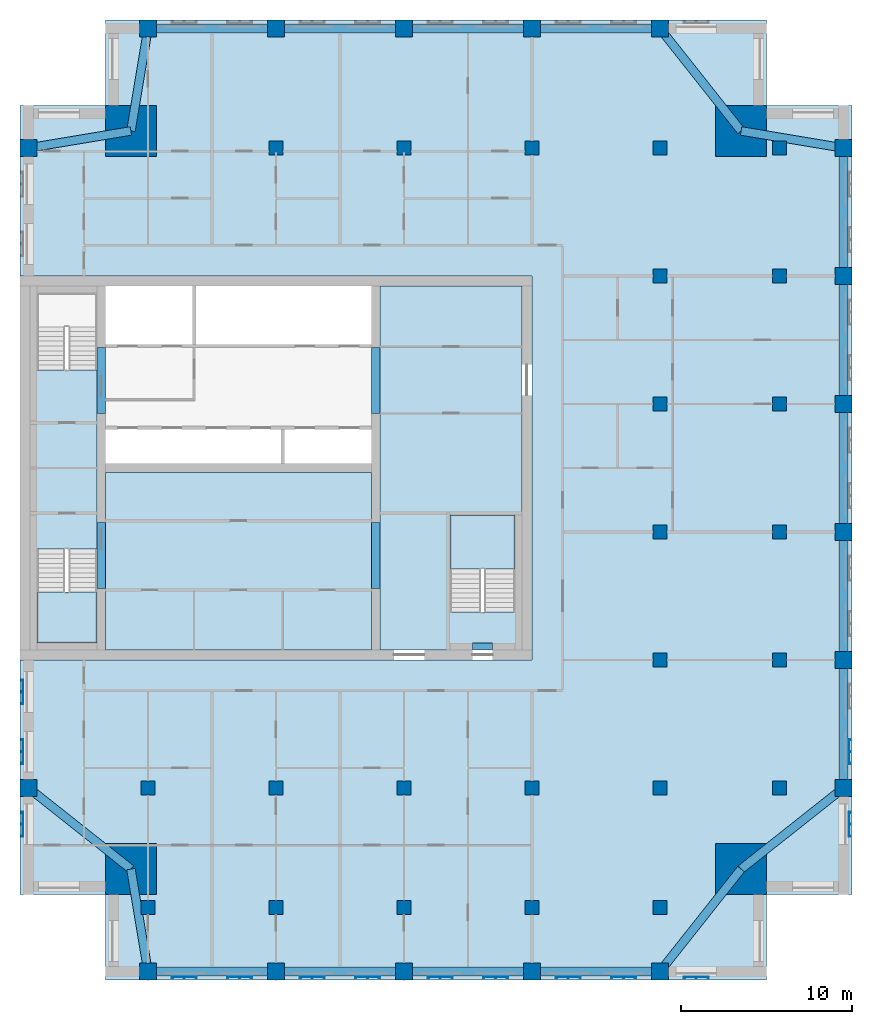
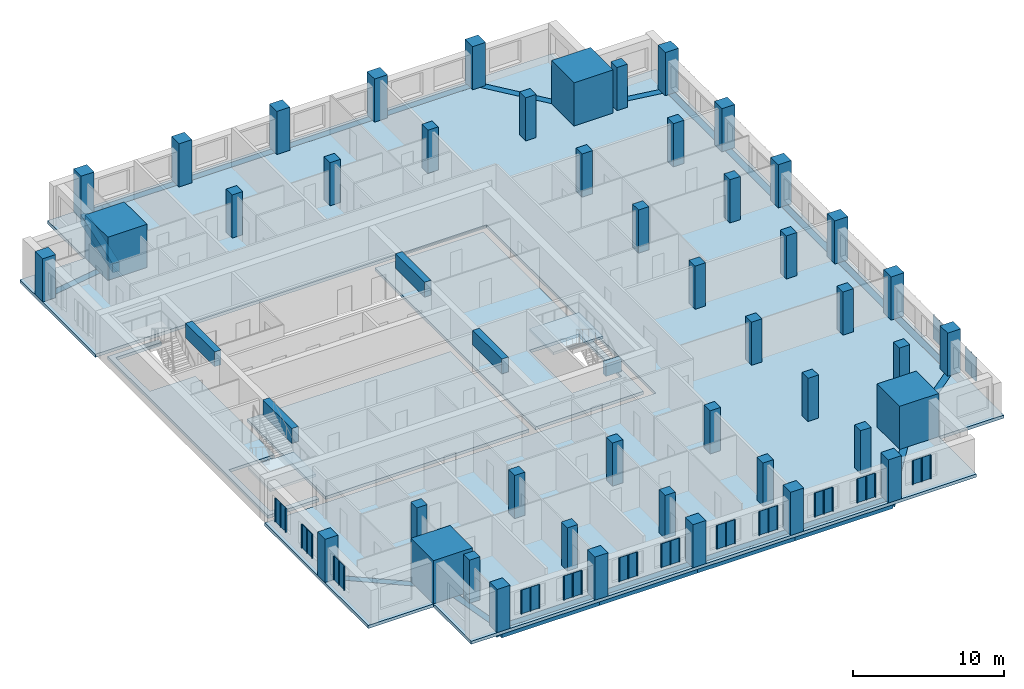
# One storey, part 1 of 10: 46 columns, 26 beams, 14 plates, 6 slabs, 2 elements without a shape of their own.
"""IFC4 building model written with IfcOpenShell, lengths in metres."""

from ifc_helpers import new_model, si_unit, direction, frame, origin, origin_2d, place, context, subcontext, project, spatial, polyline, rectangle, outline, extrude, material, layer, layer_set, material_profile, profile_set, type_object, element, aggregate, save


model = new_model("IFC4")

# Units and contexts
model_context = context("Model", 3, precision=1e-05, world=origin(), true_north=direction((0.0, 1.0)))
body_context = subcontext(model_context, "Body", "Model", "MODEL_VIEW")
ifc_project = project(units=[si_unit("LENGTHUNIT", "METRE"), si_unit("AREAUNIT", "SQUARE_METRE"), si_unit("VOLUMEUNIT", "CUBIC_METRE"), si_unit("PLANEANGLEUNIT", "RADIAN"), si_unit("MASSUNIT", "GRAM", prefix="KILO")], contexts=[model_context])

# Site, building, storey
site_placement = place(None, origin())
site = spatial("IfcSite", under=ifc_project, at=site_placement, CompositionType="ELEMENT")
building_placement = place(site_placement, origin())
building = spatial("IfcBuilding", under=site, at=building_placement, Name="Tamorin Gate", CompositionType="ELEMENT")
storey_placement = place(building_placement, frame((0.0, 0.0, 223.199951171875)))
storey = spatial("IfcBuildingStorey", under=building, at=storey_placement, Name="L55", CompositionType="ELEMENT", Elevation=223.199951171875)

# Columns
ifc_material_1 = material(Name="Concrete C50/60", Category="concrete")
ifc_material_profile_1 = material_profile(ifc_material_1, rectangle(XDim=1.0, YDim=1.0, at=origin_2d()), Name="RC 1000x1000")
ifc_profile_set_1 = profile_set([ifc_material_profile_1], Name="Concrete C50/60")
column_type_1 = type_object("IfcColumnType", Name="RC column 1000x1000 C50/60", PredefinedType="COLUMN", material=ifc_profile_set_1)
for number, where, z_axis, x_axis, name in (
    (1, (37.5, 41.75, 0.0), (0.0, 0.0, 1.0), (1.0, 0.0, 0.0), "Ring column L55"),
    (2, (45.0, 41.75, 0.0), (0.0, 0.0, 1.0), (1.0, 0.0, 0.0), "Ring column L55"),
    (3, (52.5, 41.75, 0.0), (0.0, 0.0, 1.0), (1.0, 0.0, 0.0), "Ring column L55"),
    (4, (60.0, 41.75, 0.0), (0.0, 0.0, 1.0), (1.0, 0.0, 0.0), "Ring column L55"),
    (5, (67.5, 41.75, 0.0), (0.0, 0.0, 1.0), (1.0, 0.0, 0.0), "Ring column L55"),
    (6, (78.25, 52.5, 0.0), (0.0, 0.0, 1.0), (1.0, 0.0, 0.0), "Ring column L55"),
    (7, (78.25, 60.0, 0.0), (0.0, 0.0, 1.0), (1.0, 0.0, 0.0), "Ring column L55"),
    (8, (78.25, 67.5, 0.0), (0.0, 0.0, 1.0), (1.0, 0.0, 0.0), "Ring column L55"),
    (9, (78.25, 75.0, 0.0), (0.0, 0.0, 1.0), (1.0, 0.0, 0.0), "Ring column L55"),
    (10, (78.25, 82.5, 0.0), (0.0, 0.0, 1.0), (1.0, 0.0, 0.0), "Ring column L55"),
    (11, (78.25, 90.0, 0.0), (0.0, 0.0, 1.0), (1.0, 0.0, 0.0), "Ring column L55"),
    (12, (30.5, 52.5, 0.0), (0.0, 0.0, 1.0), (1.0, 0.0, 0.0), "Ring column L55"),
    (13, (30.5, 90.0, 0.0), (0.0, 0.0, 1.0), (1.0, 0.0, 0.0), "Ring column L55"),
    (14, (37.5, 97.0, 0.0), (0.0, 0.0, 1.0), (1.0, 0.0, 0.0), "Ring column L55"),
    (15, (45.0, 97.0, 0.0), (0.0, 0.0, 1.0), (1.0, 0.0, 0.0), "Ring column L55"),
    (16, (52.5, 97.0, 0.0), (0.0, 0.0, 1.0), (1.0, 0.0, 0.0), "Ring column L55"),
    (17, (60.0, 97.0, 0.0), (0.0, 0.0, 1.0), (1.0, 0.0, 0.0), "Ring column L55"),
    (18, (67.5, 97.0, 0.0), (0.0, 0.0, 1.0), (1.0, 0.0, 0.0), "Ring column L55"),
):
    element("IfcColumn", number, at=place(storey_placement, frame(where, z_axis=z_axis, x_axis=x_axis)), inside=storey, type_object=column_type_1, Name=name, PredefinedType="COLUMN", context=body_context, shape_type="SweptSolid", body=[
        extrude(rectangle(XDim=1.0, YDim=1.0, at=origin_2d()), origin(), (0.0, 0.0, 1.0), 3.5),
    ])
ifc_material_profile_2 = material_profile(ifc_material_1, rectangle(XDim=3.0, YDim=3.0, at=origin_2d()), Name="RC 3000x3000")
ifc_profile_set_2 = profile_set([ifc_material_profile_2], Name="Concrete C50/60")
column_type_2 = type_object("IfcColumnType", Name="RC column 3000x3000 C50/60", PredefinedType="COLUMN", material=ifc_profile_set_2)
for number, where, z_axis, x_axis, name in (
    (19, (36.5, 47.75, 0.0), (0.0, 0.0, 1.0), (1.0, 0.0, 0.0), "Mega column SW L55"),
    (20, (72.25, 47.75, 0.0), (0.0, 0.0, 1.0), (1.0, 0.0, 0.0), "Mega column SE L55"),
    (21, (36.5, 91.0, 0.0), (0.0, 0.0, 1.0), (1.0, 0.0, 0.0), "Mega column NW L55"),
    (22, (72.25, 91.0, 0.0), (0.0, 0.0, 1.0), (1.0, 0.0, 0.0), "Mega column NE L55"),
):
    element("IfcColumn", number, at=place(storey_placement, frame(where, z_axis=z_axis, x_axis=x_axis)), inside=storey, type_object=column_type_2, Name=name, PredefinedType="COLUMN", context=body_context, shape_type="SweptSolid", body=[
        extrude(rectangle(XDim=3.0, YDim=3.0, at=origin_2d()), origin(), (0.0, 0.0, 1.0), 3.5),
    ])
ifc_material_profile_3 = material_profile(ifc_material_1, rectangle(XDim=0.800048828125, YDim=0.800048828125, at=origin_2d()), Name="RC 800x800")
ifc_profile_set_3 = profile_set([ifc_material_profile_3], Name="Concrete C50/60")
column_type_3 = type_object("IfcColumnType", Name="RC column 800x800 C50/60", PredefinedType="COLUMN", material=ifc_profile_set_3)
for number, where, z_axis, x_axis, name in (
    (23, (37.5, 45.5, 0.0), (0.0, 0.0, 1.0), (1.0, 0.0, 0.0), "Interior column L55"),
    (24, (37.5, 52.5, 0.0), (0.0, 0.0, 1.0), (1.0, 0.0, 0.0), "Interior column L55"),
    (25, (45.0, 45.5, 0.0), (0.0, 0.0, 1.0), (1.0, 0.0, 0.0), "Interior column L55"),
    (26, (45.0, 52.5, 0.0), (0.0, 0.0, 1.0), (1.0, 0.0, 0.0), "Interior column L55"),
    (27, (45.0, 90.0, 0.0), (0.0, 0.0, 1.0), (1.0, 0.0, 0.0), "Interior column L55"),
    (28, (52.5, 45.5, 0.0), (0.0, 0.0, 1.0), (1.0, 0.0, 0.0), "Interior column L55"),
    (29, (52.5, 52.5, 0.0), (0.0, 0.0, 1.0), (1.0, 0.0, 0.0), "Interior column L55"),
    (30, (52.5, 90.0, 0.0), (0.0, 0.0, 1.0), (1.0, 0.0, 0.0), "Interior column L55"),
    (31, (60.0, 45.5, 0.0), (0.0, 0.0, 1.0), (1.0, 0.0, 0.0), "Interior column L55"),
    (32, (60.0, 52.5, 0.0), (0.0, 0.0, 1.0), (1.0, 0.0, 0.0), "Interior column L55"),
    (33, (60.0, 90.0, 0.0), (0.0, 0.0, 1.0), (1.0, 0.0, 0.0), "Interior column L55"),
    (34, (67.5, 45.5, 0.0), (0.0, 0.0, 1.0), (1.0, 0.0, 0.0), "Interior column L55"),
    (35, (67.5, 52.5, 0.0), (0.0, 0.0, 1.0), (1.0, 0.0, 0.0), "Interior column L55"),
    (36, (67.5, 60.0, 0.0), (0.0, 0.0, 1.0), (1.0, 0.0, 0.0), "Interior column L55"),
    (37, (67.5, 67.5, 0.0), (0.0, 0.0, 1.0), (1.0, 0.0, 0.0), "Interior column L55"),
    (38, (67.5, 75.0, 0.0), (0.0, 0.0, 1.0), (1.0, 0.0, 0.0), "Interior column L55"),
    (39, (67.5, 82.5, 0.0), (0.0, 0.0, 1.0), (1.0, 0.0, 0.0), "Interior column L55"),
    (40, (67.5, 90.0, 0.0), (0.0, 0.0, 1.0), (1.0, 0.0, 0.0), "Interior column L55"),
    (41, (74.5, 52.5, 0.0), (0.0, 0.0, 1.0), (1.0, 0.0, 0.0), "Interior column L55"),
    (42, (74.5, 60.0, 0.0), (0.0, 0.0, 1.0), (1.0, 0.0, 0.0), "Interior column L55"),
    (43, (74.5, 67.5, 0.0), (0.0, 0.0, 1.0), (1.0, 0.0, 0.0), "Interior column L55"),
    (44, (74.5, 75.0, 0.0), (0.0, 0.0, 1.0), (1.0, 0.0, 0.0), "Interior column L55"),
    (45, (74.5, 82.5, 0.0), (0.0, 0.0, 1.0), (1.0, 0.0, 0.0), "Interior column L55"),
    (46, (74.5, 90.0, 0.0), (0.0, 0.0, 1.0), (1.0, 0.0, 0.0), "Interior column L55"),
):
    element("IfcColumn", number, at=place(storey_placement, frame(where, z_axis=z_axis, x_axis=x_axis)), inside=storey, type_object=column_type_3, Name=name, PredefinedType="COLUMN", context=body_context, shape_type="SweptSolid", body=[
        extrude(rectangle(XDim=0.800048828125, YDim=0.800048828125, at=origin_2d()), origin(), (0.0, 0.0, 1.0), 3.5),
    ])

# Beams
ifc_material_profile_4 = material_profile(ifc_material_1, rectangle(XDim=0.5, YDim=1.199951171875, at=origin_2d()), Name="RC 500x1200")
ifc_profile_set_4 = profile_set([ifc_material_profile_4], Name="Concrete C50/60")
beam_type_1 = type_object("IfcBeamType", Name="RC coupling beam 500x1200 C50/60", PredefinedType="BEAM", material=ifc_profile_set_4)
for number, where, z_axis, x_axis, name in (
    (47, (34.75, 64.199951171875, 2.900146484375), (0.0, 1.0, 0.0), (-1.0, 0.0, 0.0), "Coupling beam L55"),
    (48, (34.75, 74.449951171875, 2.900146484375), (0.0, 1.0, 0.0), (-1.0, 0.0, 0.0), "Coupling beam L55"),
    (49, (50.85009765625, 64.199951171875, 2.900146484375), (0.0, 1.0, 0.0), (-1.0, 0.0, 0.0), "Coupling beam L55"),
    (50, (50.85009765625, 74.449951171875, 2.900146484375), (0.0, 1.0, 0.0), (-1.0, 0.0, 0.0), "Coupling beam L55"),
):
    element("IfcBeam", number, at=place(storey_placement, frame(where, z_axis=z_axis, x_axis=x_axis)), inside=storey, type_object=beam_type_1, Name=name, PredefinedType="BEAM", context=body_context, shape_type="SweptSolid", body=[
        extrude(rectangle(XDim=0.5, YDim=1.199951171875, at=origin_2d()), origin(), (0.0, 0.0, 1.0), 3.85009765625),
    ])
ifc_material_profile_5 = material_profile(ifc_material_1, rectangle(XDim=0.5, YDim=0.75, at=origin_2d()), Name="RC 500x750")
ifc_profile_set_5 = profile_set([ifc_material_profile_5], Name="Concrete C50/60")
beam_type_2 = type_object("IfcBeamType", Name="RC spandrel 500x750 C50/60", PredefinedType="BEAM", material=ifc_profile_set_5)
for number, where, z_axis, x_axis, name in (
    (51, (37.5, 41.75, -0.375), (1.0, 0.0, 0.0), (0.0, 1.0, 0.0), "Spandrel beam L55"),
    (52, (45.0, 41.75, -0.375), (1.0, 0.0, 0.0), (0.0, 1.0, 0.0), "Spandrel beam L55"),
    (53, (52.5, 41.75, -0.375), (1.0, 0.0, 0.0), (0.0, 1.0, 0.0), "Spandrel beam L55"),
    (54, (60.0, 41.75, -0.375), (1.0, 0.0, 0.0), (0.0, 1.0, 0.0), "Spandrel beam L55"),
    (55, (78.25, 52.5, -0.375), (0.0, 1.0, 0.0), (-1.0, 0.0, 0.0), "Spandrel beam L55"),
    (56, (78.25, 60.0, -0.375), (0.0, 1.0, 0.0), (-1.0, 0.0, 0.0), "Spandrel beam L55"),
    (57, (78.25, 67.5, -0.375), (0.0, 1.0, 0.0), (-1.0, 0.0, 0.0), "Spandrel beam L55"),
    (58, (78.25, 75.0, -0.375), (0.0, 1.0, 0.0), (-1.0, 0.0, 0.0), "Spandrel beam L55"),
    (59, (78.25, 82.5, -0.375), (0.0, 1.0, 0.0), (-1.0, 0.0, 0.0), "Spandrel beam L55"),
    (60, (67.5, 97.0, -0.375), (-1.0, 0.0, 0.0), (0.0, -1.0, 0.0), "Spandrel beam L55"),
    (61, (60.0, 97.0, -0.375), (-1.0, 0.0, 0.0), (0.0, -1.0, 0.0), "Spandrel beam L55"),
    (62, (52.5, 97.0, -0.375), (-1.0, 0.0, 0.0), (0.0, -1.0, 0.0), "Spandrel beam L55"),
    (63, (45.0, 97.0, -0.375), (-1.0, 0.0, 0.0), (0.0, -1.0, 0.0), "Spandrel beam L55"),
):
    element("IfcBeam", number, at=place(storey_placement, frame(where, z_axis=z_axis, x_axis=x_axis)), inside=storey, type_object=beam_type_2, Name=name, PredefinedType="BEAM", context=body_context, shape_type="SweptSolid", body=[
        extrude(rectangle(XDim=0.5, YDim=0.75, at=origin_2d()), origin(), (0.0, 0.0, 1.0), 7.5),
    ])
beam_1_placement = place(storey_placement, frame((36.5, 47.75, -0.375), z_axis=(0.164398987305, -0.986393923832, 0.0), x_axis=(0.986393923832, 0.164398987305, 0.0)))
element("IfcBeam", 64, at=beam_1_placement, inside=storey, type_object=beam_type_2, Name="Corner tie beam L55", PredefinedType="BEAM", context=body_context, shape_type="SweptSolid", body=[
    extrude(rectangle(XDim=0.5, YDim=0.75, at=origin_2d()), origin(), (0.0, 0.0, 1.0), 6.082763671875),
])
for number, where, z_axis, x_axis, name in (
    (65, (36.5, 47.75, -0.375), (-0.784045824462, 0.620702944366, 0.0), (-0.620702944366, -0.784045824462, 0.0), "Corner tie beam L55"),
    (66, (72.25, 47.75, -0.375), (-0.620702944366, -0.784045824462, 0.0), (0.784045824462, -0.620702944366, 0.0), "Corner tie beam L55"),
    (67, (72.25, 47.75, -0.375), (0.784045824462, 0.620702944366, 0.0), (-0.620702944366, 0.784045824462, 0.0), "Corner tie beam L55"),
):
    element("IfcBeam", number, at=place(storey_placement, frame(where, z_axis=z_axis, x_axis=x_axis)), inside=storey, type_object=beam_type_2, Name=name, PredefinedType="BEAM", context=body_context, shape_type="SweptSolid", body=[
        extrude(rectangle(XDim=0.5, YDim=0.75, at=origin_2d()), origin(), (0.0, 0.0, 1.0), 7.652587890625),
    ])
for number, where, z_axis, x_axis, name in (
    (68, (36.5, 91.0, -0.375), (-0.986393923832, -0.164398987305, 0.0), (0.164398987305, -0.986393923832, 0.0), "Corner tie beam L55"),
    (69, (36.5, 91.0, -0.375), (0.164398987305, 0.986393923832, 0.0), (-0.986393923832, 0.164398987305, 0.0), "Corner tie beam L55"),
    (70, (72.25, 91.0, -0.375), (0.986393923832, -0.164398987305, 0.0), (0.164398987305, 0.986393923832, 0.0), "Corner tie beam L55"),
):
    element("IfcBeam", number, at=place(storey_placement, frame(where, z_axis=z_axis, x_axis=x_axis)), inside=storey, type_object=beam_type_2, Name=name, PredefinedType="BEAM", context=body_context, shape_type="SweptSolid", body=[
        extrude(rectangle(XDim=0.5, YDim=0.75, at=origin_2d()), origin(), (0.0, 0.0, 1.0), 6.082763671875),
    ])
beam_2_placement = place(storey_placement, frame((72.25, 91.0, -0.375), z_axis=(-0.620702944366, 0.784045824462, 0.0), x_axis=(-0.784045824462, -0.620702944366, 0.0)))
element("IfcBeam", 71, at=beam_2_placement, inside=storey, type_object=beam_type_2, Name="Corner tie beam L55", PredefinedType="BEAM", context=body_context, shape_type="SweptSolid", body=[
    extrude(rectangle(XDim=0.5, YDim=0.75, at=origin_2d()), origin(), (0.0, 0.0, 1.0), 7.652587890625),
])
ifc_material_profile_6 = material_profile(ifc_material_1, rectangle(XDim=0.39990234375, YDim=1.0, at=origin_2d()))
ifc_profile_set_6 = profile_set([ifc_material_profile_6], Name="Concrete C50/60")
beam_type_3 = type_object("IfcBeamType", Name="Stair lintel 400x1000 C50/60", PredefinedType="BEAM", material=ifc_profile_set_6)
beam_3_placement = place(storey_placement, frame((56.5, 60.800048828125, 2.699951171875), z_axis=(1.0, 0.0, 0.0), x_axis=(0.0, 1.0, 0.0)))
element("IfcBeam", 72, at=beam_3_placement, inside=storey, type_object=beam_type_3, Name="Stair lintel", PredefinedType="BEAM", context=body_context, shape_type="SweptSolid", body=[
    extrude(rectangle(XDim=0.39990234375, YDim=1.0, at=origin_2d()), origin(), (0.0, 0.0, 1.0), 1.199951171875),
])

# Slabs
ifc_material_2 = material(Name="Concrete C40/50", Category="concrete")
ifc_layer_1 = layer(ifc_material_2, 0.25)
ifc_layer_set_1 = layer_set([ifc_layer_1], Name="Core floor slab 250 C40/50")
slab_type_1 = type_object("IfcSlabType", Name="Core floor slab 250 C40/50", PredefinedType="FLOOR", material=ifc_layer_set_1)
slab_1_placement = place(storey_placement, frame((0.0, 0.0, -0.25)))
element("IfcSlab", 73, at=slab_1_placement, inside=storey, type_object=slab_type_1, Name="Core floor L55", PredefinedType="FLOOR", context=body_context, shape_type="SweptSolid", body=[
    extrude(outline(polyline([(51.10009765625, 81.89990234375), (59.39990234375, 81.89990234375), (59.39990234375, 60.60009765625), (51.10009765625, 60.60009765625), (51.10009765625, 81.89990234375)]), holes=[polyline([(55.199951171875, 62.800048828125), (59.0, 62.800048828125), (59.0, 68.5), (55.199951171875, 68.5), (55.199951171875, 62.800048828125)])]), origin(), (0.0, 0.0, 1.0), 0.25),
])
slab_2_placement = place(storey_placement, frame((0.0, 0.0, -0.25)))
element("IfcSlab", 74, at=slab_2_placement, inside=storey, type_object=slab_type_1, Name="Core floor L55", PredefinedType="FLOOR", context=body_context, shape_type="SweptSolid", body=[
    extrude(outline(polyline([(50.60009765625, 71.0), (50.60009765625, 60.60009765625), (35.0, 60.60009765625), (35.0, 71.0), (50.60009765625, 71.0)])), origin(), (0.0, 0.0, 1.0), 0.25),
])
slab_3_placement = place(storey_placement, frame((0.0, 0.0, -0.25)))
element("IfcSlab", 75, at=slab_3_placement, inside=storey, type_object=slab_type_1, Name="Core floor L55", PredefinedType="FLOOR", context=body_context, shape_type="SweptSolid", body=[
    extrude(outline(polyline([(34.5, 60.60009765625), (30.60009765625, 60.60009765625), (30.60009765625, 81.89990234375), (34.5, 81.89990234375), (34.5, 81.5), (31.0, 81.5), (31.0, 77.0), (34.5, 77.0), (34.5, 66.5), (31.0, 66.5), (31.0, 61.0), (34.5, 61.0), (34.5, 60.60009765625)])), origin(), (0.0, 0.0, 1.0), 0.25),
])

# Stair, slab
stair_type = type_object("IfcStairType", Name="Exit stair", PredefinedType="HALF_TURN_STAIR", material=ifc_material_2)
stair_1_placement = place(storey_placement, origin())
stair_1 = element("IfcStair", 76, at=stair_1_placement, inside=storey, type_object=stair_type, Name="L55 stair ST1", PredefinedType="HALF_TURN_STAIR")
ifc_layer_2 = layer(ifc_material_2, 0.199951171875)
ifc_layer_set_2 = layer_set([ifc_layer_2], Name="Exit stair landing 200")
slab_type_2 = type_object("IfcSlabType", Name="Exit stair landing 200", PredefinedType="LANDING", material=ifc_layer_set_2)
slab_4_placement = place(storey_placement, frame((0.0, 0.0, 1.550048828125)))
slab_4 = element("IfcSlab", 77, at=slab_4_placement, type_object=slab_type_2, Name="ST1 landing 1", PredefinedType="LANDING", context=body_context, shape_type="SweptSolid", body=[
    extrude(outline(polyline([(31.0, 63.97998046875), (31.0, 61.0), (34.5, 61.0), (34.5, 63.97998046875), (31.0, 63.97998046875)])), origin(), (0.0, 0.0, 1.0), 0.199951171875),
])
aggregate(stair_1, [slab_4])

stair_2_placement = place(storey_placement, origin())
stair_2 = element("IfcStair", 78, at=stair_2_placement, inside=storey, type_object=stair_type, Name="L55 stair ST3", PredefinedType="HALF_TURN_STAIR")
slab_5_placement = place(storey_placement, frame((0.0, 0.0, 1.550048828125)))
slab_5 = element("IfcSlab", 79, at=slab_5_placement, type_object=slab_type_2, Name="ST3 landing 1", PredefinedType="LANDING", context=body_context, shape_type="SweptSolid", body=[
    extrude(outline(polyline([(59.0, 65.320068359375), (59.0, 68.5), (55.199951171875, 68.5), (55.199951171875, 65.320068359375), (59.0, 65.320068359375)])), origin(), (0.0, 0.0, 1.0), 0.199951171875),
])
aggregate(stair_2, [slab_5])

# Slab
ifc_layer_3 = layer(ifc_material_2, 0.25)
ifc_layer_set_3 = layer_set([ifc_layer_3], Name="Floor slab 250 C40/50")
slab_type_3 = type_object("IfcSlabType", Name="Floor slab 250 C40/50", PredefinedType="FLOOR", material=ifc_layer_set_3)
slab_6_placement = place(storey_placement, frame((0.0, 0.0, -0.25)))
element("IfcSlab", 80, at=slab_6_placement, inside=storey, type_object=slab_type_3, Name="Floor L55", PredefinedType="FLOOR", context=body_context, shape_type="SweptSolid", body=[
    extrude(outline(polyline([(30.0, 92.5), (35.0, 92.5), (35.0, 97.5), (73.75, 97.5), (73.75, 92.5), (78.75, 92.5), (78.75, 46.25), (73.75, 46.25), (73.75, 41.25), (35.0, 41.25), (35.0, 46.25), (30.0, 46.25), (30.0, 60.0), (60.0, 60.0), (60.0, 82.5), (30.0, 82.5), (30.0, 92.5)])), origin(), (0.0, 0.0, 1.0), 0.25),
])

# Plates
ifc_material_3 = material(Name="Perforated pale aluminium sheet", Category="aluminium")
ifc_layer_4 = layer(ifc_material_3, 0.0400390625)
ifc_layer_set_4 = layer_set([ifc_layer_4], Name="Pale metal solar screen 1440")
plate_type = type_object("IfcPlateType", Name="Pale metal solar screen 1440", PredefinedType="SHEET", material=ifc_layer_set_4)
plate_1_placement = place(storey_placement, frame((0.0, 0.0, 0.737548828125)))
element("IfcPlate", 81, at=plate_1_placement, inside=storey, type_object=plate_type, Name="Perforated solar screen", PredefinedType="SHEET", context=body_context, shape_type="SweptSolid", body=[
    extrude(outline(polyline([(38.905029296875, 41.409912109375), (38.905029296875, 41.449951171875), (38.965087890625, 41.449951171875), (39.594970703125, 41.449951171875), (39.655029296875, 41.449951171875), (40.284912109375, 41.449951171875), (40.344970703125, 41.449951171875), (40.344970703125, 41.449951171875), (40.344970703125, 41.409912109375), (40.344970703125, 41.409912109375), (40.344970703125, 41.35009765625), (40.284912109375, 41.35009765625), (40.284912109375, 41.409912109375), (39.655029296875, 41.409912109375), (39.655029296875, 41.35009765625), (39.594970703125, 41.35009765625), (39.594970703125, 41.409912109375), (38.965087890625, 41.409912109375), (38.965087890625, 41.35009765625), (38.905029296875, 41.35009765625), (38.905029296875, 41.409912109375)])), origin(), (0.0, 0.0, 1.0), 1.925048828125),
])
plate_2_placement = place(storey_placement, frame((0.0, 0.0, 0.737548828125)))
element("IfcPlate", 82, at=plate_2_placement, inside=storey, type_object=plate_type, Name="Perforated solar screen", PredefinedType="SHEET", context=body_context, shape_type="SweptSolid", body=[
    extrude(outline(polyline([(42.155029296875, 41.409912109375), (42.155029296875, 41.449951171875), (42.215087890625, 41.449951171875), (42.844970703125, 41.449951171875), (42.905029296875, 41.449951171875), (43.534912109375, 41.449951171875), (43.594970703125, 41.449951171875), (43.594970703125, 41.409912109375), (43.594970703125, 41.35009765625), (43.534912109375, 41.35009765625), (43.534912109375, 41.409912109375), (42.905029296875, 41.409912109375), (42.905029296875, 41.35009765625), (42.844970703125, 41.35009765625), (42.844970703125, 41.409912109375), (42.215087890625, 41.409912109375), (42.215087890625, 41.35009765625), (42.155029296875, 41.35009765625), (42.155029296875, 41.409912109375)])), origin(), (0.0, 0.0, 1.0), 1.925048828125),
])
plate_3_placement = place(storey_placement, frame((0.0, 0.0, 0.737548828125)))
element("IfcPlate", 83, at=plate_3_placement, inside=storey, type_object=plate_type, Name="Perforated solar screen", PredefinedType="SHEET", context=body_context, shape_type="SweptSolid", body=[
    extrude(outline(polyline([(46.405029296875, 41.409912109375), (46.405029296875, 41.449951171875), (46.465087890625, 41.449951171875), (47.094970703125, 41.449951171875), (47.155029296875, 41.449951171875), (47.784912109375, 41.449951171875), (47.844970703125, 41.449951171875), (47.844970703125, 41.409912109375), (47.844970703125, 41.35009765625), (47.784912109375, 41.35009765625), (47.784912109375, 41.409912109375), (47.155029296875, 41.409912109375), (47.155029296875, 41.35009765625), (47.094970703125, 41.35009765625), (47.094970703125, 41.409912109375), (46.465087890625, 41.409912109375), (46.465087890625, 41.35009765625), (46.405029296875, 41.35009765625), (46.405029296875, 41.409912109375)])), origin(), (0.0, 0.0, 1.0), 1.925048828125),
])
plate_4_placement = place(storey_placement, frame((0.0, 0.0, 0.737548828125)))
element("IfcPlate", 84, at=plate_4_placement, inside=storey, type_object=plate_type, Name="Perforated solar screen", PredefinedType="SHEET", context=body_context, shape_type="SweptSolid", body=[
    extrude(outline(polyline([(49.655029296875, 41.409912109375), (49.655029296875, 41.449951171875), (49.715087890625, 41.449951171875), (50.344970703125, 41.449951171875), (50.405029296875, 41.449951171875), (51.034912109375, 41.449951171875), (51.094970703125, 41.449951171875), (51.094970703125, 41.409912109375), (51.094970703125, 41.35009765625), (51.034912109375, 41.35009765625), (51.034912109375, 41.409912109375), (50.405029296875, 41.409912109375), (50.405029296875, 41.35009765625), (50.344970703125, 41.35009765625), (50.344970703125, 41.409912109375), (49.715087890625, 41.409912109375), (49.715087890625, 41.35009765625), (49.655029296875, 41.35009765625), (49.655029296875, 41.409912109375)])), origin(), (0.0, 0.0, 1.0), 1.925048828125),
])
plate_5_placement = place(storey_placement, frame((0.0, 0.0, 0.737548828125)))
element("IfcPlate", 85, at=plate_5_placement, inside=storey, type_object=plate_type, Name="Perforated solar screen", PredefinedType="SHEET", context=body_context, shape_type="SweptSolid", body=[
    extrude(outline(polyline([(53.905029296875, 41.409912109375), (53.905029296875, 41.449951171875), (53.965087890625, 41.449951171875), (54.594970703125, 41.449951171875), (54.655029296875, 41.449951171875), (55.284912109375, 41.449951171875), (55.344970703125, 41.449951171875), (55.344970703125, 41.409912109375), (55.344970703125, 41.35009765625), (55.284912109375, 41.35009765625), (55.284912109375, 41.409912109375), (54.655029296875, 41.409912109375), (54.655029296875, 41.35009765625), (54.594970703125, 41.35009765625), (54.594970703125, 41.409912109375), (53.965087890625, 41.409912109375), (53.965087890625, 41.35009765625), (53.905029296875, 41.35009765625), (53.905029296875, 41.409912109375)])), origin(), (0.0, 0.0, 1.0), 1.925048828125),
])
plate_6_placement = place(storey_placement, frame((0.0, 0.0, 0.737548828125)))
element("IfcPlate", 86, at=plate_6_placement, inside=storey, type_object=plate_type, Name="Perforated solar screen", PredefinedType="SHEET", context=body_context, shape_type="SweptSolid", body=[
    extrude(outline(polyline([(57.155029296875, 41.409912109375), (57.155029296875, 41.449951171875), (57.215087890625, 41.449951171875), (57.844970703125, 41.449951171875), (57.905029296875, 41.449951171875), (58.534912109375, 41.449951171875), (58.594970703125, 41.449951171875), (58.594970703125, 41.409912109375), (58.594970703125, 41.35009765625), (58.534912109375, 41.35009765625), (58.534912109375, 41.409912109375), (57.905029296875, 41.409912109375), (57.905029296875, 41.35009765625), (57.844970703125, 41.35009765625), (57.844970703125, 41.409912109375), (57.215087890625, 41.409912109375), (57.215087890625, 41.35009765625), (57.155029296875, 41.35009765625), (57.155029296875, 41.409912109375)])), origin(), (0.0, 0.0, 1.0), 1.925048828125),
])
plate_7_placement = place(storey_placement, frame((0.0, 0.0, 0.737548828125)))
element("IfcPlate", 87, at=plate_7_placement, inside=storey, type_object=plate_type, Name="Perforated solar screen", PredefinedType="SHEET", context=body_context, shape_type="SweptSolid", body=[
    extrude(outline(polyline([(61.405029296875, 41.409912109375), (61.405029296875, 41.449951171875), (61.465087890625, 41.449951171875), (62.094970703125, 41.449951171875), (62.155029296875, 41.449951171875), (62.784912109375, 41.449951171875), (62.844970703125, 41.449951171875), (62.844970703125, 41.409912109375), (62.844970703125, 41.35009765625), (62.784912109375, 41.35009765625), (62.784912109375, 41.409912109375), (62.155029296875, 41.409912109375), (62.155029296875, 41.35009765625), (62.094970703125, 41.35009765625), (62.094970703125, 41.409912109375), (61.465087890625, 41.409912109375), (61.465087890625, 41.35009765625), (61.405029296875, 41.35009765625), (61.405029296875, 41.409912109375)])), origin(), (0.0, 0.0, 1.0), 1.925048828125),
])
plate_8_placement = place(storey_placement, frame((0.0, 0.0, 0.737548828125)))
element("IfcPlate", 88, at=plate_8_placement, inside=storey, type_object=plate_type, Name="Perforated solar screen", PredefinedType="SHEET", context=body_context, shape_type="SweptSolid", body=[
    extrude(outline(polyline([(64.655029296875, 41.409912109375), (64.655029296875, 41.449951171875), (64.715087890625, 41.449951171875), (65.344970703125, 41.449951171875), (65.405029296875, 41.449951171875), (66.034912109375, 41.449951171875), (66.094970703125, 41.449951171875), (66.094970703125, 41.409912109375), (66.094970703125, 41.35009765625), (66.034912109375, 41.35009765625), (66.034912109375, 41.409912109375), (65.405029296875, 41.409912109375), (65.405029296875, 41.35009765625), (65.344970703125, 41.35009765625), (65.344970703125, 41.409912109375), (64.715087890625, 41.409912109375), (64.715087890625, 41.35009765625), (64.655029296875, 41.35009765625), (64.655029296875, 41.409912109375)])), origin(), (0.0, 0.0, 1.0), 1.925048828125),
])
plate_9_placement = place(storey_placement, frame((0.0, 0.0, 0.737548828125)))
element("IfcPlate", 89, at=plate_9_placement, inside=storey, type_object=plate_type, Name="Perforated solar screen", PredefinedType="SHEET", context=body_context, shape_type="SweptSolid", body=[
    extrude(outline(polyline([(68.905029296875, 41.409912109375), (68.905029296875, 41.449951171875), (68.965087890625, 41.449951171875), (69.594970703125, 41.449951171875), (69.655029296875, 41.449951171875), (70.284912109375, 41.449951171875), (70.344970703125, 41.449951171875), (70.344970703125, 41.409912109375), (70.344970703125, 41.35009765625), (70.284912109375, 41.35009765625), (70.284912109375, 41.409912109375), (69.655029296875, 41.409912109375), (69.655029296875, 41.35009765625), (69.594970703125, 41.35009765625), (69.594970703125, 41.409912109375), (68.965087890625, 41.409912109375), (68.965087890625, 41.35009765625), (68.905029296875, 41.35009765625), (68.905029296875, 41.409912109375)])), origin(), (0.0, 0.0, 1.0), 1.925048828125),
])
plate_10_placement = place(storey_placement, frame((0.0, 0.0, 0.737548828125)))
element("IfcPlate", 90, at=plate_10_placement, inside=storey, type_object=plate_type, Name="Perforated solar screen", PredefinedType="SHEET", context=body_context, shape_type="SweptSolid", body=[
    extrude(outline(polyline([(78.590087890625, 49.655029296875), (78.550048828125, 49.655029296875), (78.550048828125, 49.715087890625), (78.550048828125, 50.344970703125), (78.550048828125, 50.405029296875), (78.550048828125, 51.034912109375), (78.550048828125, 51.094970703125), (78.550048828125, 51.094970703125), (78.590087890625, 51.094970703125), (78.590087890625, 51.094970703125), (78.64990234375, 51.094970703125), (78.64990234375, 51.034912109375), (78.590087890625, 51.034912109375), (78.590087890625, 50.405029296875), (78.64990234375, 50.405029296875), (78.64990234375, 50.344970703125), (78.590087890625, 50.344970703125), (78.590087890625, 49.715087890625), (78.64990234375, 49.715087890625), (78.64990234375, 49.655029296875), (78.590087890625, 49.655029296875)])), origin(), (0.0, 0.0, 1.0), 1.925048828125),
])
plate_11_placement = place(storey_placement, frame((0.0, 0.0, 0.737548828125)))
element("IfcPlate", 91, at=plate_11_placement, inside=storey, type_object=plate_type, Name="Perforated solar screen", PredefinedType="SHEET", context=body_context, shape_type="SweptSolid", body=[
    extrude(outline(polyline([(78.590087890625, 53.905029296875), (78.550048828125, 53.905029296875), (78.550048828125, 53.965087890625), (78.550048828125, 54.594970703125), (78.550048828125, 54.655029296875), (78.550048828125, 55.284912109375), (78.550048828125, 55.344970703125), (78.590087890625, 55.344970703125), (78.64990234375, 55.344970703125), (78.64990234375, 55.284912109375), (78.590087890625, 55.284912109375), (78.590087890625, 54.655029296875), (78.64990234375, 54.655029296875), (78.64990234375, 54.594970703125), (78.590087890625, 54.594970703125), (78.590087890625, 53.965087890625), (78.64990234375, 53.965087890625), (78.64990234375, 53.905029296875), (78.590087890625, 53.905029296875)])), origin(), (0.0, 0.0, 1.0), 1.925048828125),
])
plate_12_placement = place(storey_placement, frame((0.0, 0.0, 0.737548828125)))
element("IfcPlate", 92, at=plate_12_placement, inside=storey, type_object=plate_type, Name="Perforated solar screen", PredefinedType="SHEET", context=body_context, shape_type="SweptSolid", body=[
    extrude(outline(polyline([(30.159912109375, 55.344970703125), (30.199951171875, 55.344970703125), (30.199951171875, 55.284912109375), (30.199951171875, 54.655029296875), (30.199951171875, 54.594970703125), (30.199951171875, 53.965087890625), (30.199951171875, 53.905029296875), (30.159912109375, 53.905029296875), (30.10009765625, 53.905029296875), (30.10009765625, 53.965087890625), (30.159912109375, 53.965087890625), (30.159912109375, 54.594970703125), (30.10009765625, 54.594970703125), (30.10009765625, 54.655029296875), (30.159912109375, 54.655029296875), (30.159912109375, 55.284912109375), (30.10009765625, 55.284912109375), (30.10009765625, 55.344970703125), (30.159912109375, 55.344970703125)])), origin(), (0.0, 0.0, 1.0), 1.925048828125),
])
plate_13_placement = place(storey_placement, frame((0.0, 0.0, 0.737548828125)))
element("IfcPlate", 93, at=plate_13_placement, inside=storey, type_object=plate_type, Name="Perforated solar screen", PredefinedType="SHEET", context=body_context, shape_type="SweptSolid", body=[
    extrude(outline(polyline([(30.159912109375, 58.844970703125), (30.199951171875, 58.844970703125), (30.199951171875, 58.784912109375), (30.199951171875, 58.155029296875), (30.199951171875, 58.094970703125), (30.199951171875, 57.465087890625), (30.199951171875, 57.405029296875), (30.159912109375, 57.405029296875), (30.10009765625, 57.405029296875), (30.10009765625, 57.465087890625), (30.159912109375, 57.465087890625), (30.159912109375, 58.094970703125), (30.10009765625, 58.094970703125), (30.10009765625, 58.155029296875), (30.159912109375, 58.155029296875), (30.159912109375, 58.784912109375), (30.10009765625, 58.784912109375), (30.10009765625, 58.844970703125), (30.159912109375, 58.844970703125)])), origin(), (0.0, 0.0, 1.0), 1.925048828125),
])
plate_14_placement = place(storey_placement, frame((0.0, 0.0, 0.737548828125)))
element("IfcPlate", 94, at=plate_14_placement, inside=storey, type_object=plate_type, Name="Perforated solar screen", PredefinedType="SHEET", context=body_context, shape_type="SweptSolid", body=[
    extrude(outline(polyline([(30.159912109375, 51.094970703125), (30.199951171875, 51.094970703125), (30.199951171875, 51.034912109375), (30.199951171875, 50.405029296875), (30.199951171875, 50.344970703125), (30.199951171875, 49.715087890625), (30.199951171875, 49.655029296875), (30.159912109375, 49.655029296875), (30.10009765625, 49.655029296875), (30.10009765625, 49.715087890625), (30.159912109375, 49.715087890625), (30.159912109375, 50.344970703125), (30.10009765625, 50.344970703125), (30.10009765625, 50.405029296875), (30.159912109375, 50.405029296875), (30.159912109375, 51.034912109375), (30.10009765625, 51.034912109375), (30.10009765625, 51.094970703125), (30.159912109375, 51.094970703125)])), origin(), (0.0, 0.0, 1.0), 1.925048828125),
])

save(model, "model.ifc")
